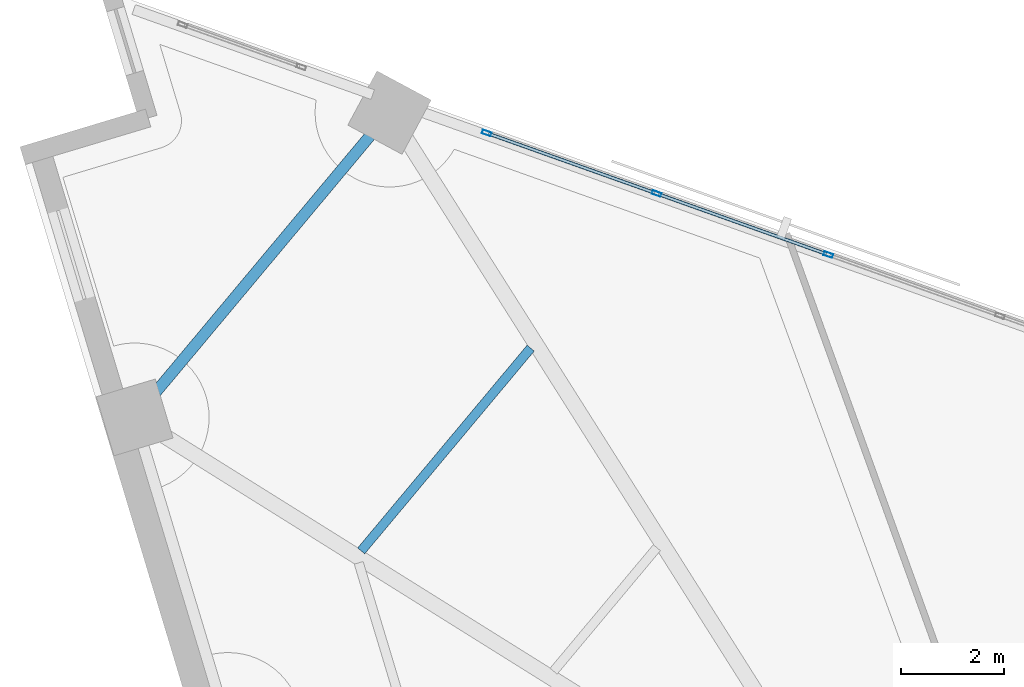
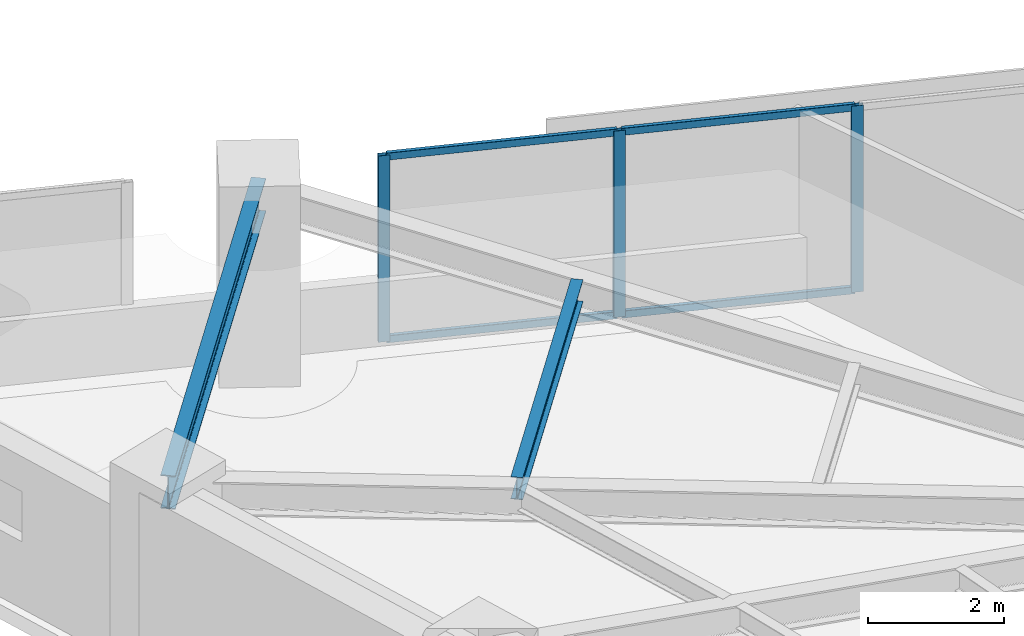
# One storey, part 6 of 15: 7 members, 2 beams, 1 element without a shape of its own.
"""IFC4 building model written with IfcOpenShell, lengths in metres."""

from ifc_helpers import new_model, si_unit, direction, frame, origin, origin_2d, place, context, subcontext, project, spatial, hollow_rectangle, i_section, extrude, material, material_profile, profile_set, type_object, element, aggregate, save


model = new_model("IFC4")

# Units and contexts
model_context = context("Model", 3, precision=1e-05, world=origin(), true_north=direction((0.0, 1.0)))
body_context = subcontext(model_context, "Body", "Model", "MODEL_VIEW")
ifc_project = project(units=[si_unit("LENGTHUNIT", "METRE"), si_unit("AREAUNIT", "SQUARE_METRE"), si_unit("VOLUMEUNIT", "CUBIC_METRE"), si_unit("PLANEANGLEUNIT", "RADIAN"), si_unit("MASSUNIT", "GRAM", prefix="KILO")], contexts=[model_context])

# Site, building, storey
site_placement = place(None, origin())
site = spatial("IfcSite", under=ifc_project, at=site_placement, CompositionType="ELEMENT")
building_placement = place(site_placement, origin())
building = spatial("IfcBuilding", under=site, at=building_placement, Name="Narakoshi Arena Tower", CompositionType="ELEMENT")
storey_placement = place(building_placement, frame((0.0, 0.0, 143.10009765625)))
storey = spatial("IfcBuildingStorey", under=building, at=storey_placement, Name="L38", CompositionType="ELEMENT", Elevation=143.10009765625)

# Beams
ifc_material_1 = material(Name="Structural steel S355J2", Category="steel")
ifc_material_profile_1 = material_profile(ifc_material_1, i_section(OverallWidth=0.219970703125, OverallDepth=0.60009765625, WebThickness=0.011962890625, FlangeThickness=0.01904296875, FilletRadius=0.02392578125, at=origin_2d()), Name="IPE600")
ifc_profile_set_1 = profile_set([ifc_material_profile_1], Name="Structural steel S355J2")
beam_type_1 = type_object("IfcBeamType", Name="BM-EDGE-600", PredefinedType="BEAM", material=ifc_profile_set_1)
beam_1_placement = place(storey_placement, frame((62.545166015625, 71.4501953125, 3.039794921875), z_axis=(-0.641406030011, -0.767201606272, 0.0), x_axis=(0.767201606272, -0.641406030011, 0.0)))
element("IfcBeam", 1, at=beam_1_placement, inside=storey, type_object=beam_type_1, Name="L38 Perimeter Edge Girder 09", PredefinedType="BEAM", context=body_context, shape_type="SweptSolid", body=[
    extrude(i_section(OverallWidth=0.219970703125, OverallDepth=0.60009765625, WebThickness=0.011962890625, FlangeThickness=0.01904296875, FilletRadius=0.02392578125, at=origin_2d()), origin(), (0.0, 0.0, 1.0), 7.73974609375),
])
ifc_material_profile_2 = material_profile(ifc_material_1, i_section(OverallWidth=0.179931640625, OverallDepth=0.39990234375, WebThickness=0.008544921875, FlangeThickness=0.013427734375, FilletRadius=0.02099609375, at=origin_2d()), Name="IPE400")
ifc_profile_set_2 = profile_set([ifc_material_profile_2], Name="Structural steel S355J2")
beam_type_2 = type_object("IfcBeamType", Name="BM-SEC-400", PredefinedType="JOIST", material=ifc_profile_set_2)
beam_2_placement = place(storey_placement, frame((65.295166015625, 66.861572265625, 3.139892578125), z_axis=(-0.641419724151, -0.767190157308, 0.0), x_axis=(0.767190157308, -0.641419724151, 0.0)))
element("IfcBeam", 2, at=beam_2_placement, inside=storey, type_object=beam_type_2, Name="L38 Composite Secondary Floor Joist 08", PredefinedType="JOIST", context=body_context, shape_type="SweptSolid", body=[
    extrude(i_section(OverallWidth=0.179931640625, OverallDepth=0.39990234375, WebThickness=0.008544921875, FlangeThickness=0.013427734375, FilletRadius=0.02099609375, at=origin_2d()), origin(), (0.0, 0.0, 1.0), 5.14794921875),
])

# Curtain wall, members
ifc_material_2 = material(Name="Anodised bronze aluminium 6063-T6", Category="aluminium")
curtain_wall_type = type_object("IfcCurtainWallType", Name="CW-HYP-MID", PredefinedType="NOTDEFINED", material=ifc_material_2)
curtain_wall_placement = place(storey_placement, origin())
curtain_wall = element("IfcCurtainWall", 3, at=curtain_wall_placement, inside=storey, type_object=curtain_wall_type, Name="L38 Folded Hypotenuse Curtain Wall 2-1", PredefinedType="NOTDEFINED")
ifc_material_profile_3 = material_profile(ifc_material_2, hollow_rectangle(XDim=0.074951171875, YDim=0.179931640625, WallThickness=0.00390625, OuterFilletRadius=0.0048828125, at=origin_2d()), Name="MUL180x75x4")
ifc_profile_set_3 = profile_set([ifc_material_profile_3], Name="Anodised bronze aluminium 6063-T6")
member_type_1 = type_object("IfcMemberType", Name="MEM-MUL-180", PredefinedType="MULLION", material=ifc_profile_set_3)
member_1_placement = place(storey_placement, frame((71.092529296875, 68.68212890625, 0.0), z_axis=(0.0, 0.0, 1.0), x_axis=(-0.335518297139, -0.94203368957, 0.0)))
member_1 = element("IfcMember", 4, at=member_1_placement, type_object=member_type_1, Name="CW-02 mullion 6", PredefinedType="MULLION", context=body_context, shape_type="SweptSolid", body=[
    extrude(hollow_rectangle(XDim=0.074951171875, YDim=0.179931640625, WallThickness=0.00390625, OuterFilletRadius=0.0048828125, at=origin_2d()), origin(), (0.0, 0.0, 1.0), 3.33984375),
])
member_2_placement = place(storey_placement, frame((67.748046875, 69.873291015625, 0.0), z_axis=(0.0, 0.0, 1.0), x_axis=(-0.335518297139, -0.94203368957, 0.0)))
member_2 = element("IfcMember", 5, at=member_2_placement, type_object=member_type_1, Name="CW-02 mullion 7", PredefinedType="MULLION", context=body_context, shape_type="SweptSolid", body=[
    extrude(hollow_rectangle(XDim=0.074951171875, YDim=0.179931640625, WallThickness=0.00390625, OuterFilletRadius=0.0048828125, at=origin_2d()), origin(), (0.0, 0.0, 1.0), 3.33984375),
])
member_3_placement = place(storey_placement, frame((64.438720703125, 71.052001953125, 0.0), z_axis=(0.0, 0.0, 1.0), x_axis=(-0.335518297139, -0.94203368957, 0.0)))
member_3 = element("IfcMember", 6, at=member_3_placement, type_object=member_type_1, Name="CW-02 mullion 8", PredefinedType="MULLION", context=body_context, shape_type="SweptSolid", body=[
    extrude(hollow_rectangle(XDim=0.074951171875, YDim=0.179931640625, WallThickness=0.00390625, OuterFilletRadius=0.0048828125, at=origin_2d()), origin(), (0.0, 0.0, 1.0), 3.33984375),
])
ifc_material_profile_4 = material_profile(ifc_material_2, hollow_rectangle(XDim=0.06494140625, YDim=0.1298828125, WallThickness=0.00390625, OuterFilletRadius=0.0048828125, at=origin_2d()), Name="TRN130x65x4")
ifc_profile_set_4 = profile_set([ifc_material_profile_4], Name="Anodised bronze aluminium 6063-T6")
member_type_2 = type_object("IfcMemberType", Name="MEM-TRN-130", PredefinedType="USERDEFINED", material=ifc_profile_set_4)
member_4_placement = place(storey_placement, frame((71.05712890625, 68.694580078125, 0.032470703125), z_axis=(-0.942014960696, 0.335570877498, 0.0), x_axis=(-0.335570877498, -0.942014960696, 0.0)))
member_4 = element("IfcMember", 7, at=member_4_placement, type_object=member_type_2, Name="CW-02 transom 6.1", ObjectType="TRANSOM", PredefinedType="USERDEFINED", context=body_context, shape_type="SweptSolid", body=[
    extrude(hollow_rectangle(XDim=0.06494140625, YDim=0.1298828125, WallThickness=0.00390625, OuterFilletRadius=0.0048828125, at=origin_2d()), origin(), (0.0, 0.0, 1.0), 3.475341796875),
])
member_5_placement = place(storey_placement, frame((71.05712890625, 68.694580078125, 3.307373046875), z_axis=(-0.942014960696, 0.335570877498, 0.0), x_axis=(-0.335570877498, -0.942014960696, 0.0)))
member_5 = element("IfcMember", 8, at=member_5_placement, type_object=member_type_2, Name="CW-02 transom 6.2", ObjectType="TRANSOM", PredefinedType="USERDEFINED", context=body_context, shape_type="SweptSolid", body=[
    extrude(hollow_rectangle(XDim=0.06494140625, YDim=0.1298828125, WallThickness=0.00390625, OuterFilletRadius=0.0048828125, at=origin_2d()), origin(), (0.0, 0.0, 1.0), 3.475341796875),
])
member_6_placement = place(storey_placement, frame((67.712646484375, 69.885986328125, 0.032470703125), z_axis=(-0.942045199235, 0.335485979735, 0.0), x_axis=(-0.335485979735, -0.942045199235, 0.0)))
member_6 = element("IfcMember", 9, at=member_6_placement, type_object=member_type_2, Name="CW-02 transom 7.1", ObjectType="TRANSOM", PredefinedType="USERDEFINED", context=body_context, shape_type="SweptSolid", body=[
    extrude(hollow_rectangle(XDim=0.06494140625, YDim=0.1298828125, WallThickness=0.00390625, OuterFilletRadius=0.0048828125, at=origin_2d()), origin(), (0.0, 0.0, 1.0), 3.437744140625),
])
member_7_placement = place(storey_placement, frame((67.712646484375, 69.885986328125, 3.307373046875), z_axis=(-0.942045199235, 0.335485979735, 0.0), x_axis=(-0.335485979735, -0.942045199235, 0.0)))
member_7 = element("IfcMember", 10, at=member_7_placement, type_object=member_type_2, Name="CW-02 transom 7.2", ObjectType="TRANSOM", PredefinedType="USERDEFINED", context=body_context, shape_type="SweptSolid", body=[
    extrude(hollow_rectangle(XDim=0.06494140625, YDim=0.1298828125, WallThickness=0.00390625, OuterFilletRadius=0.0048828125, at=origin_2d()), origin(), (0.0, 0.0, 1.0), 3.437744140625),
])
aggregate(curtain_wall, [member_1, member_2, member_3, member_4, member_5, member_6, member_7])

save(model, "model.ifc")
